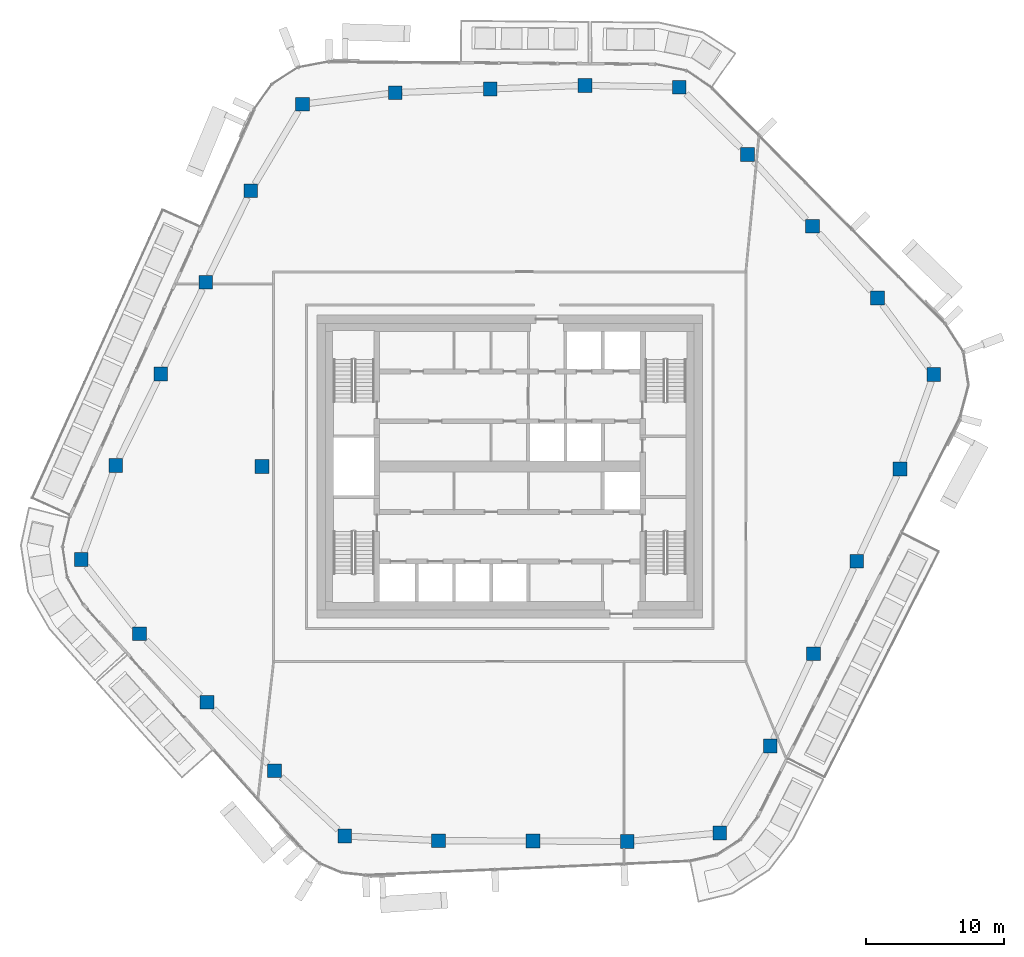
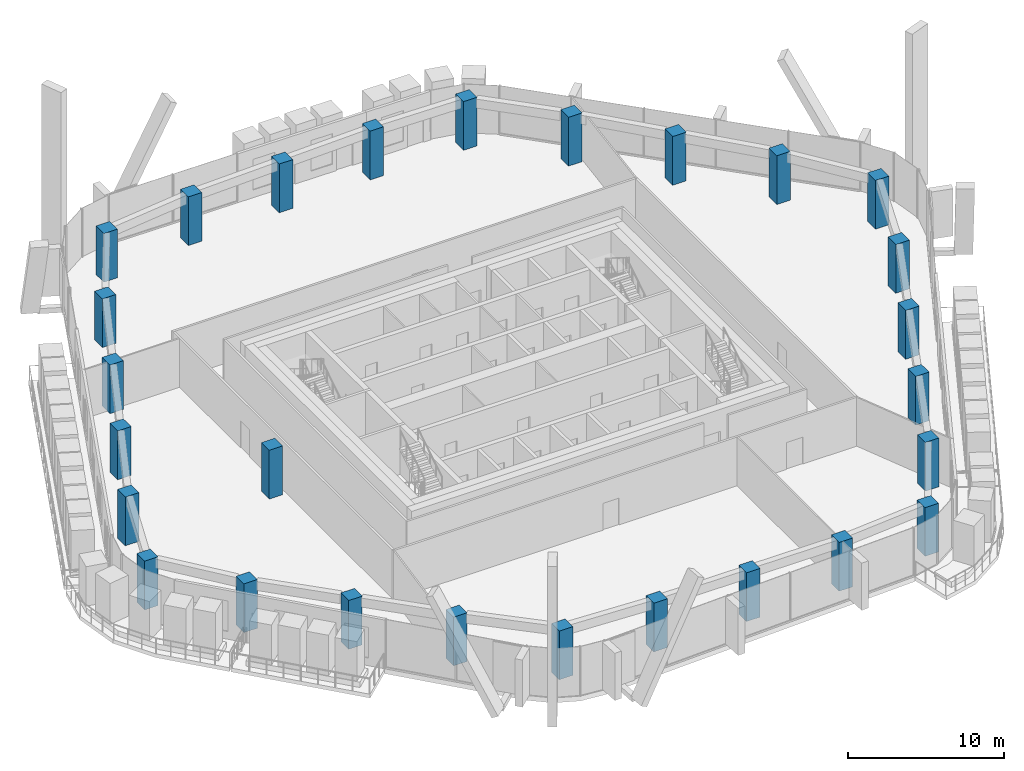
# One storey, part 1 of 23: 27 columns.
"""IFC4 building model written with IfcOpenShell, lengths in metres."""

from ifc_helpers import new_model, si_unit, direction, frame, origin, origin_2d, place, context, subcontext, project, spatial, rectangle, extrude, material, material_profile, profile_set, type_object, element, save


model = new_model("IFC4")

# Units and contexts
model_context = context("Model", 3, precision=1e-05, world=origin(), true_north=direction((0.0, 1.0)))
body_context = subcontext(model_context, "Body", "Model", "MODEL_VIEW")
ifc_project = project(units=[si_unit("LENGTHUNIT", "METRE"), si_unit("AREAUNIT", "SQUARE_METRE"), si_unit("VOLUMEUNIT", "CUBIC_METRE"), si_unit("PLANEANGLEUNIT", "RADIAN"), si_unit("MASSUNIT", "GRAM", prefix="KILO")], contexts=[model_context])

# Site, building, storey
site_placement = place(None, origin())
site = spatial("IfcSite", under=ifc_project, at=site_placement, CompositionType="ELEMENT")
building_placement = place(site_placement, origin())
building = spatial("IfcBuilding", under=site, at=building_placement, Name="Dongbaek Canopy Tower", CompositionType="ELEMENT")
storey_placement = place(building_placement, frame((0.0, 0.0, 319.39990234375)))
storey = spatial("IfcBuildingStorey", under=building, at=storey_placement, Name="L68", CompositionType="ELEMENT", Elevation=319.39990234375)

# Columns
ifc_material = material(Name="Concrete C60", Category="concrete")
ifc_material_profile = material_profile(ifc_material, rectangle(XDim=1.0, YDim=1.0, at=origin_2d()), Name="RC COLUMN 1000x1000 C60")
ifc_profile_set = profile_set([ifc_material_profile], Name="Concrete C60")
column_type = type_object("IfcColumnType", Name="RC COLUMN 1000x1000 C60", PredefinedType="COLUMN", material=ifc_profile_set)
for number, where, z_axis, x_axis, name in (
    (1, (15.251953125, -26.60693359375, 0.0), (0.0, 0.0, 1.0), (1.0, 0.0, 0.0), "COL:CZ5-01:L68"),
    (2, (8.533935546875, -27.22705078125, 0.0), (0.0, 0.0, 1.0), (1.0, 0.0, 0.0), "COL:CZ5-02:L68"),
    (3, (1.68310546875, -27.197021484375, 0.0), (0.0, 0.0, 1.0), (1.0, 0.0, 0.0), "COL:CZ5-03:L68"),
    (4, (-5.166015625, -27.1669921875, 0.0), (0.0, 0.0, 1.0), (1.0, 0.0, 0.0), "COL:CZ5-04:L68"),
    (5, (-11.985107421875, -26.8310546875, 0.0), (0.0, 0.0, 1.0), (1.0, 0.0, 0.0), "COL:CZ5-05:L68"),
    (6, (-17.083984375, -22.089111328125, 0.0), (0.0, 0.0, 1.0), (1.0, 0.0, 0.0), "COL:CZ5-06:L68"),
    (7, (-21.986083984375, -17.112060546875, 0.0), (0.0, 0.0, 1.0), (1.0, 0.0, 0.0), "COL:CZ5-07:L68"),
    (8, (-26.888916015625, -12.134033203125, 0.0), (0.0, 0.0, 1.0), (1.0, 0.0, 0.0), "COL:CZ5-08:L68"),
    (9, (-31.12890625, -6.7451171875, 0.0), (0.0, 0.0, 1.0), (1.0, 0.0, 0.0), "COL:CZ5-09:L68"),
    (10, (-28.616943359375, 0.0859375, 0.0), (0.0, 0.0, 1.0), (1.0, 0.0, 0.0), "COL:CZ5-10:L68"),
    (11, (-25.346923828125, 6.735107421875, 0.0), (0.0, 0.0, 1.0), (1.0, 0.0, 0.0), "COL:CZ5-11:L68"),
    (12, (-22.075927734375, 13.384033203125, 0.0), (0.0, 0.0, 1.0), (1.0, 0.0, 0.0), "COL:CZ5-12:L68"),
    (13, (-18.805908203125, 20.031982421875, 0.0), (0.0, 0.0, 1.0), (1.0, 0.0, 0.0), "COL:CZ5-13:L68"),
    (14, (-15.06201171875, 26.321044921875, 0.0), (0.0, 0.0, 1.0), (1.0, 0.0, 0.0), "COL:CZ5-14:L68"),
    (15, (-8.30908203125, 27.1640625, 0.0), (0.0, 0.0, 1.0), (1.0, 0.0, 0.0), "COL:CZ5-15:L68"),
    (16, (-1.41796875, 27.427978515625, 0.0), (0.0, 0.0, 1.0), (1.0, 0.0, 0.0), "COL:CZ5-16:L68"),
    (17, (5.470947265625, 27.69189453125, 0.0), (0.0, 0.0, 1.0), (1.0, 0.0, 0.0), "COL:CZ5-17:L68"),
    (18, (12.31396484375, 27.56298828125, 0.0), (0.0, 0.0, 1.0), (1.0, 0.0, 0.0), "COL:CZ5-18:L68"),
    (19, (17.27587890625, 22.666015625, 0.0), (0.0, 0.0, 1.0), (1.0, 0.0, 0.0), "COL:CZ5-19:L68"),
    (20, (21.989990234375, 17.4619140625, 0.0), (0.0, 0.0, 1.0), (1.0, 0.0, 0.0), "COL:CZ5-20:L68"),
    (21, (26.702880859375, 12.257080078125, 0.0), (0.0, 0.0, 1.0), (1.0, 0.0, 0.0), "COL:CZ5-21:L68"),
    (22, (30.804931640625, 6.697998046875, 0.0), (0.0, 0.0, 1.0), (1.0, 0.0, 0.0), "COL:CZ5-22:L68"),
    (23, (28.35107421875, -0.169921875, 0.0), (0.0, 0.0, 1.0), (1.0, 0.0, 0.0), "COL:CZ5-23:L68"),
    (24, (25.2099609375, -6.87890625, 0.0), (0.0, 0.0, 1.0), (1.0, 0.0, 0.0), "COL:CZ5-24:L68"),
    (25, (22.068115234375, -13.587890625, 0.0), (0.0, 0.0, 1.0), (1.0, 0.0, 0.0), "COL:CZ5-25:L68"),
    (26, (18.925048828125, -20.2958984375, 0.0), (0.0, 0.0, 1.0), (1.0, 0.0, 0.0), "COL:CZ5-26:L68"),
    (27, (-18.0, 0.0, 0.0), (0.0, 0.0, 1.0), (1.0, 0.0, 0.0), "COL:CIZ5-01:L68"),
):
    element("IfcColumn", number, at=place(storey_placement, frame(where, z_axis=z_axis, x_axis=x_axis)), inside=storey, type_object=column_type, Name=name, PredefinedType="COLUMN", context=body_context, shape_type="SweptSolid", body=[
        extrude(rectangle(XDim=1.0, YDim=1.0, at=origin_2d()), origin(), (0.0, 0.0, 1.0), 3.820068359375),
    ])

save(model, "model.ifc")
